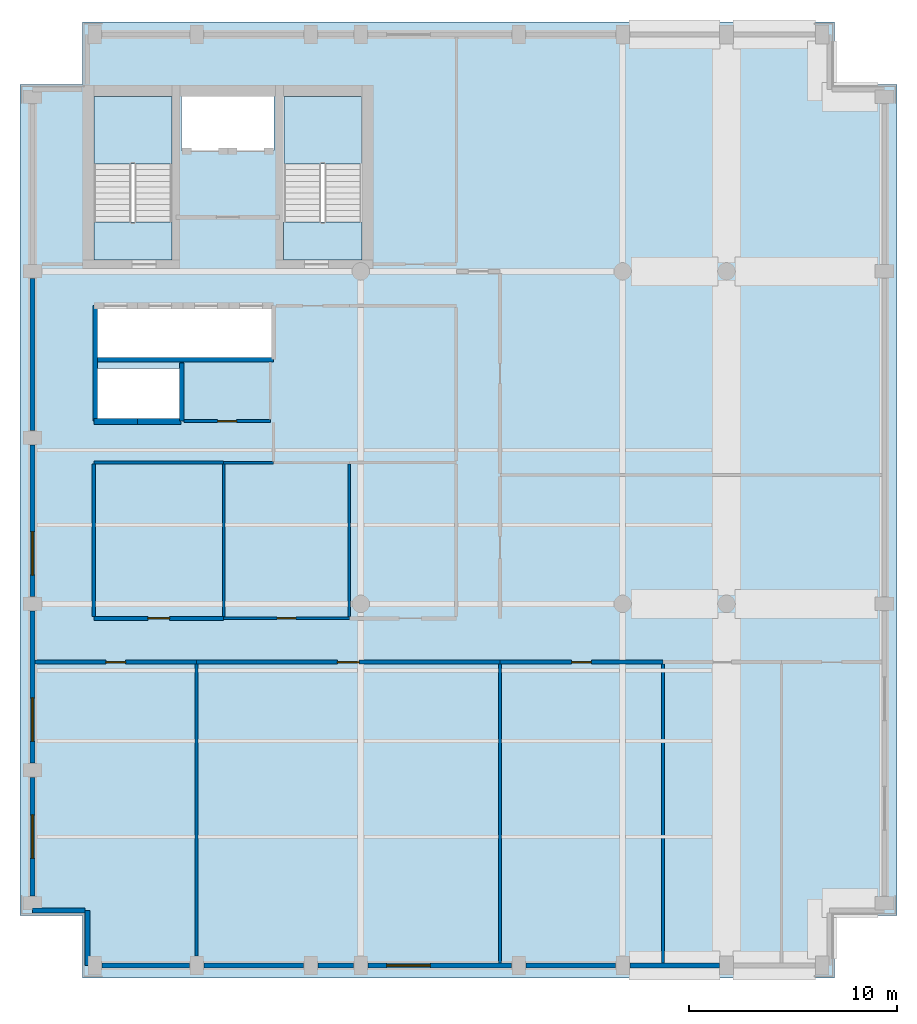
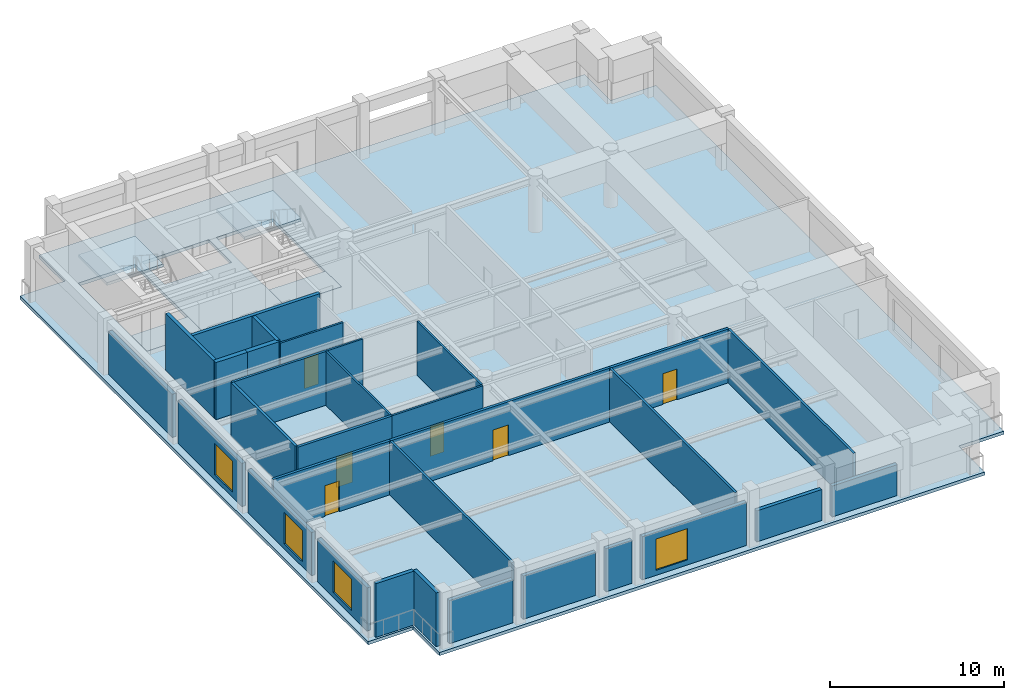
# One storey, part 2 of 7: 31 walls, 6 doors, 5 slabs, 4 windows, 10 openings, 2 elements without a shape of their own.
"""IFC4 building model written with IfcOpenShell, lengths in metres."""

from ifc_helpers import new_model, si_unit, direction, frame, frame_2d, origin, place, context, subcontext, project, spatial, polyline, rectangle, outline, extrude, material, layer, layer_set, type_object, element, fill, aggregate, save


model = new_model("IFC4")

# Units and contexts
model_context = context("Model", 3, precision=1e-05, world=origin(), true_north=direction((0.0, 1.0)))
body_context = subcontext(model_context, "Body", "Model", "MODEL_VIEW")
ifc_project = project(units=[si_unit("LENGTHUNIT", "METRE"), si_unit("AREAUNIT", "SQUARE_METRE"), si_unit("VOLUMEUNIT", "CUBIC_METRE"), si_unit("PLANEANGLEUNIT", "RADIAN"), si_unit("MASSUNIT", "GRAM", prefix="KILO")], contexts=[model_context])

# Site, building, storey
site_placement = place(None, origin())
site = spatial("IfcSite", under=ifc_project, at=site_placement, CompositionType="ELEMENT")
building_placement = place(site_placement, origin())
building = spatial("IfcBuilding", under=site, at=building_placement, Name="Sulina Concourse Tower", CompositionType="ELEMENT")
storey_placement = place(building_placement, frame((0.0, 0.0, 301.0)))
storey = spatial("IfcBuildingStorey", under=building, at=storey_placement, Name="L73", CompositionType="ELEMENT", Elevation=301.0)

# Slabs
ifc_material_1 = material(Name="Concrete C50/60", Category="concrete")
ifc_layer_1 = layer(ifc_material_1, 0.22509765625)
ifc_layer_set_1 = layer_set([ifc_layer_1], Name="Concrete C50/60")
slab_type_1 = type_object("IfcSlabType", Name="Crown & Observation Floor Slab 225mm", PredefinedType="FLOOR", material=ifc_layer_set_1)
slab_1_placement = place(storey_placement, frame((0.0, 0.0, -0.22509765625)))
element("IfcSlab", 1, at=slab_1_placement, inside=storey, type_object=slab_type_1, Name="L73 structural floor slab", PredefinedType="FLOOR", context=body_context, shape_type="SweptSolid", body=[
    extrude(outline(polyline([(3.0, 0.0), (39.199951171875, 0.0), (39.199951171875, 3.0), (42.199951171875, 3.0), (42.199951171875, 43.0), (39.199951171875, 43.0), (39.199951171875, 46.0), (3.0, 46.0), (3.0, 43.0), (0.0, 43.0), (0.0, 3.0), (3.0, 3.0), (3.0, 0.0)]), holes=[polyline([(7.31005859375, 34.550048828125), (7.31005859375, 42.429931640625), (3.550048828125, 42.429931640625), (3.550048828125, 34.550048828125), (7.31005859375, 34.550048828125)]), polyline([(16.449951171875, 34.550048828125), (16.449951171875, 42.429931640625), (12.68994140625, 42.429931640625), (12.68994140625, 34.550048828125), (16.449951171875, 34.550048828125)]), polyline([(7.780029296875, 39.830078125), (12.219970703125, 39.830078125), (12.219970703125, 42.449951171875), (7.780029296875, 42.449951171875), (7.780029296875, 39.830078125)]), polyline([(3.739990234375, 26.780029296875), (7.77001953125, 26.780029296875), (7.77001953125, 29.320068359375), (3.739990234375, 29.320068359375), (3.739990234375, 26.780029296875)]), polyline([(3.739990234375, 29.780029296875), (12.10009765625, 29.780029296875), (12.10009765625, 32.3701171875), (3.739990234375, 32.3701171875), (3.739990234375, 29.780029296875)])]), origin(), (0.0, 0.0, 1.0), 0.22509765625),
])
ifc_material_2 = material(Name="Concrete C50/60", Category="concrete")
ifc_layer_2 = layer(ifc_material_2, 0.199951171875)
ifc_layer_set_2 = layer_set([ifc_layer_2], Name="Concrete C50/60")
slab_type_2 = type_object("IfcSlabType", Name="Primary Core Stair Landing Slab 200mm", PredefinedType="LANDING", material=ifc_layer_set_2)
slab_2_placement = place(storey_placement, frame((0.0, 0.0, -0.199951171875)))
element("IfcSlab", 2, at=slab_2_placement, inside=storey, type_object=slab_type_2, Name="L73 ST-1 floor landing slab", PredefinedType="LANDING", context=body_context, shape_type="SweptSolid", body=[
    extrude(outline(polyline([(7.31005859375, 34.550048828125), (7.31005859375, 36.375), (3.550048828125, 36.375), (3.550048828125, 34.550048828125), (7.31005859375, 34.550048828125)])), origin(), (0.0, 0.0, 1.0), 0.199951171875),
])
slab_3_placement = place(storey_placement, frame((0.0, 0.0, -0.199951171875)))
element("IfcSlab", 3, at=slab_3_placement, inside=storey, type_object=slab_type_2, Name="L73 ST-2 floor landing slab", PredefinedType="LANDING", context=body_context, shape_type="SweptSolid", body=[
    extrude(outline(polyline([(16.449951171875, 34.550048828125), (16.449951171875, 36.375), (12.68994140625, 36.375), (12.68994140625, 34.550048828125), (16.449951171875, 34.550048828125)])), origin(), (0.0, 0.0, 1.0), 0.199951171875),
])

# Stair, slab
ifc_material_3 = material(Name="Concrete C50/60", Category="concrete")
stair_type = type_object("IfcStairType", Name="Primary Core Dog-Leg Exit Stair 1800mm", PredefinedType="HALF_TURN_STAIR", material=ifc_material_3)
stair_1_placement = place(storey_placement, origin())
stair_1 = element("IfcStair", 4, at=stair_1_placement, inside=storey, type_object=stair_type, Name="L73 ST-1", PredefinedType="HALF_TURN_STAIR")
slab_4_placement = place(storey_placement, frame((0.0, 0.0, 1.800048828125)))
slab_4 = element("IfcSlab", 5, at=slab_4_placement, type_object=slab_type_2, Name="ST-1 landing 1", PredefinedType="LANDING", context=body_context, shape_type="SweptSolid", body=[
    extrude(outline(polyline([(7.304931640625, 39.175048828125), (7.304931640625, 42.425048828125), (3.554931640625, 42.425048828125), (3.554931640625, 39.175048828125), (7.304931640625, 39.175048828125)])), origin(), (0.0, 0.0, 1.0), 0.199951171875),
])
aggregate(stair_1, [slab_4])

stair_2_placement = place(storey_placement, origin())
stair_2 = element("IfcStair", 6, at=stair_2_placement, inside=storey, type_object=stair_type, Name="L73 ST-2", PredefinedType="HALF_TURN_STAIR")
slab_5_placement = place(storey_placement, frame((0.0, 0.0, 1.800048828125)))
slab_5 = element("IfcSlab", 7, at=slab_5_placement, type_object=slab_type_2, Name="ST-2 landing 1", PredefinedType="LANDING", context=body_context, shape_type="SweptSolid", body=[
    extrude(outline(polyline([(16.445068359375, 39.175048828125), (16.445068359375, 42.425048828125), (12.695068359375, 42.425048828125), (12.695068359375, 39.175048828125), (16.445068359375, 39.175048828125)])), origin(), (0.0, 0.0, 1.0), 0.199951171875),
])
aggregate(stair_2, [slab_5])

# Walls
ifc_material_4 = material(Name="Concrete C50/60", Category="concrete")
ifc_layer_3 = layer(ifc_material_4, 0.219970703125)
ifc_layer_set_3 = layer_set([ifc_layer_3], Name="Concrete C50/60")
wall_type_1 = type_object("IfcWallType", Name="Core Lift Hoistway Divider Wall 220mm", PredefinedType="SOLIDWALL", material=ifc_layer_set_3)
wall_1_placement = place(storey_placement, frame((3.550048828125, 29.75, 0.0), z_axis=(0.0, 0.0, 1.0), x_axis=(1.0, 0.0, 0.0)))
element("IfcWall", 8, at=wall_1_placement, inside=storey, type_object=wall_type_1, Name="L73 shaft divider wall HW-LP3-S", PredefinedType="SOLIDWALL", context=body_context, shape_type="SweptSolid", body=[
    extrude(rectangle(XDim=8.64990234375, YDim=0.219970703125, at=frame_2d((4.324951171875, 0.0))), origin(), (0.0, 0.0, 1.0), 4.0),
])
wall_2_placement = place(storey_placement, frame((3.6298828125, 26.800048828125, 0.0), z_axis=(0.0, 0.0, 1.0), x_axis=(0.0, 1.0, 0.0)))
element("IfcWall", 9, at=wall_2_placement, inside=storey, type_object=wall_type_1, Name="L73 shaft divider wall HW-LP3-W", PredefinedType="SOLIDWALL", context=body_context, shape_type="SweptSolid", body=[
    extrude(rectangle(XDim=5.550048828125, YDim=0.219970703125, at=frame_2d((2.77490234375, 0.0))), origin(), (0.0, 0.0, 1.0), 4.0),
])
wall_3_placement = place(storey_placement, frame((7.780029296875, 26.800048828125, 0.0), z_axis=(0.0, 0.0, 1.0), x_axis=(0.0, 1.0, 0.0)))
element("IfcWall", 10, at=wall_3_placement, inside=storey, type_object=wall_type_1, Name="L73 shaft divider wall HW-EXP-E", PredefinedType="SOLIDWALL", context=body_context, shape_type="SweptSolid", body=[
    extrude(rectangle(XDim=2.800048828125, YDim=0.219970703125, at=frame_2d((1.39990234375, 0.0))), origin(), (0.0, 0.0, 1.0), 4.0),
])
ifc_material_5 = material(Name="Concrete C50/60", Category="concrete")
ifc_layer_4 = layer(ifc_material_5, 0.300048828125)
ifc_layer_set_4 = layer_set([ifc_layer_4], Name="Concrete C50/60")
wall_type_2 = type_object("IfcWallType", Name="Core Lift Hoistway Wall 300mm", PredefinedType="SOLIDWALL", material=ifc_layer_set_4)
wall_4_placement = place(storey_placement, frame((5.64990234375, 26.780029296875, 0.0), z_axis=(0.0, 0.0, 1.0), x_axis=(-1.0, 0.0, 0.0)))
element("IfcWall", 11, at=wall_4_placement, inside=storey, type_object=wall_type_2, Name="L73 hoistway enclosure wall EXP-1", PredefinedType="SOLIDWALL", context=body_context, shape_type="SweptSolid", body=[
    extrude(rectangle(XDim=2.099853515625, YDim=0.300048828125, at=frame_2d((1.0498046875, 0.0))), origin(), (0.0, 0.0, 1.0), 4.0),
])
wall_5_placement = place(storey_placement, frame((7.75, 26.780029296875, 0.0), z_axis=(0.0, 0.0, 1.0), x_axis=(-1.0, 0.0, 0.0)))
element("IfcWall", 12, at=wall_5_placement, inside=storey, type_object=wall_type_2, Name="L73 hoistway enclosure wall EXP-2", PredefinedType="SOLIDWALL", context=body_context, shape_type="SweptSolid", body=[
    extrude(rectangle(XDim=2.10009765625, YDim=0.300048828125, at=frame_2d((1.050048828125, 0.0))), origin(), (0.0, 0.0, 1.0), 4.0),
])
ifc_material_6 = material(Name="Precast concrete C50/60", Category="concrete")
ifc_layer_5 = layer(ifc_material_6, 0.239990234375)
ifc_layer_set_5 = layer_set([ifc_layer_5], Name="Precast concrete C50/60")
wall_type_3 = type_object("IfcWallType", Name="Crown Precast Masonry-Frame Facade Wall 240mm", PredefinedType="SOLIDWALL", material=ifc_layer_set_5)
wall_6_placement = place(storey_placement, frame((8.155029296875, 0.60009765625, 0.0), z_axis=(0.0, 0.0, 1.0), x_axis=(-1.0, 0.0, 0.0)))
element("IfcWall", 13, at=wall_6_placement, inside=storey, type_object=wall_type_3, Name="L73 exterior precast wall S1", PredefinedType="SOLIDWALL", context=body_context, shape_type="SweptSolid", body=[
    extrude(rectangle(XDim=4.2099609375, YDim=0.239990234375, at=frame_2d((2.10498046875, 0.0))), origin(), (0.0, 0.0, 1.0), 3.02490234375),
])
wall_7_placement = place(storey_placement, frame((13.655029296875, 0.60009765625, 0.0), z_axis=(0.0, 0.0, 1.0), x_axis=(-1.0, 0.0, 0.0)))
element("IfcWall", 14, at=wall_7_placement, inside=storey, type_object=wall_type_3, Name="L73 exterior precast wall S2", PredefinedType="SOLIDWALL", context=body_context, shape_type="SweptSolid", body=[
    extrude(rectangle(XDim=4.81005859375, YDim=0.239990234375, at=frame_2d((2.405029296875, 0.0))), origin(), (0.0, 0.0, 1.0), 3.02490234375),
])
wall_8_placement = place(storey_placement, frame((16.054931640625, 0.60009765625, 0.0), z_axis=(0.0, 0.0, 1.0), x_axis=(-1.0, 0.0, 0.0)))
element("IfcWall", 15, at=wall_8_placement, inside=storey, type_object=wall_type_3, Name="L73 exterior precast wall S3", PredefinedType="SOLIDWALL", context=body_context, shape_type="SweptSolid", body=[
    extrude(rectangle(XDim=1.7099609375, YDim=0.239990234375, at=frame_2d((0.85498046875, 0.0))), origin(), (0.0, 0.0, 1.0), 3.02490234375),
])

# Wall, opening, window
wall_9_placement = place(storey_placement, frame((23.655029296875, 0.60009765625, 0.0), z_axis=(0.0, 0.0, 1.0), x_axis=(-1.0, 0.0, 0.0)))
wall_9 = element("IfcWall", 16, at=wall_9_placement, inside=storey, type_object=wall_type_3, Name="L73 exterior precast wall S4", PredefinedType="SOLIDWALL", context=body_context, shape_type="SweptSolid", body=[
    extrude(rectangle(XDim=6.909912109375, YDim=0.239990234375, at=frame_2d((3.455078125, 0.0))), origin(), (0.0, 0.0, 1.0), 3.02490234375),
])
opening_1_placement = place(wall_9_placement, frame((3.90673828125, 0.0, 0.35009765625)))
opening_1 = element("IfcOpeningElement", 17, at=opening_1_placement, cuts=wall_9, Name="Opening WN-33", PredefinedType="OPENING", context=body_context, shape_type="SweptSolid", body=[
    extrude(rectangle(XDim=2.10009765625, YDim=2.199951171875, at=frame_2d((1.050048828125, 1.10009765625))), frame((0.0, 0.1298828125, 0.0), z_axis=(0.0, -1.0, 0.0), x_axis=(1.0, 0.0, 0.0)), (0.0, 0.0, 1.0), 0.260009765625),
])
ifc_material_7 = material(Name="Low-E solar double glazing in bronze aluminium", Category="aluminium")
window_type = type_object("IfcWindowType", Name="Punched Masonry-Frame Window 2100x2200", PartitioningType="DOUBLE_PANEL_VERTICAL", PredefinedType="WINDOW", material=ifc_material_7)
window_1_placement = place(opening_1_placement, origin())
window_1 = element("IfcWindow", 18, at=window_1_placement, inside=storey, type_object=window_type, Name="L73 punched window S4-1", OverallHeight=2.199951171875, OverallWidth=2.10009765625, PartitioningType="SINGLE_PANEL", PredefinedType="WINDOW", context=body_context, shape_type="SweptSolid", body=[
    extrude(rectangle(XDim=2.10009765625, YDim=2.199951171875, at=frame_2d((1.050048828125, 1.10009765625))), frame((0.0, 0.030029296875, 0.0), z_axis=(0.0, -1.0, 0.0), x_axis=(1.0, 0.0, 0.0)), (0.0, 0.0, 1.0), 0.06005859375),
])
fill(opening_1, window_1)

# Walls
wall_10_placement = place(storey_placement, frame((28.655029296875, 0.60009765625, 0.0), z_axis=(0.0, 0.0, 1.0), x_axis=(-1.0, 0.0, 0.0)))
element("IfcWall", 19, at=wall_10_placement, inside=storey, type_object=wall_type_3, Name="L73 exterior precast wall S5", PredefinedType="SOLIDWALL", context=body_context, shape_type="SweptSolid", body=[
    extrude(rectangle(XDim=4.31005859375, YDim=0.239990234375, at=frame_2d((2.155029296875, 0.0))), origin(), (0.0, 0.0, 1.0), 2.175048828125),
])
wall_11_placement = place(storey_placement, frame((33.655029296875, 0.60009765625, 0.0), z_axis=(0.0, 0.0, 1.0), x_axis=(-1.0, 0.0, 0.0)))
element("IfcWall", 20, at=wall_11_placement, inside=storey, type_object=wall_type_3, Name="L73 exterior precast wall S6", PredefinedType="SOLIDWALL", context=body_context, shape_type="SweptSolid", body=[
    extrude(rectangle(XDim=4.31005859375, YDim=0.239990234375, at=frame_2d((2.155029296875, 0.0))), origin(), (0.0, 0.0, 1.0), 2.1650390625),
])

# Wall, opening, window
wall_12_placement = place(storey_placement, frame((0.60009765625, 3.945068359375, 0.0), z_axis=(0.0, 0.0, 1.0), x_axis=(0.0, 1.0, 0.0)))
wall_12 = element("IfcWall", 21, at=wall_12_placement, inside=storey, type_object=wall_type_3, Name="L73 exterior precast wall W1", PredefinedType="SOLIDWALL", context=body_context, shape_type="SweptSolid", body=[
    extrude(rectangle(XDim=5.7099609375, YDim=0.239990234375, at=frame_2d((2.85498046875, 0.0))), origin(), (0.0, 0.0, 1.0), 3.02490234375),
])
opening_2_placement = place(wall_12_placement, frame((1.804931640625, 0.0, 0.35009765625)))
opening_2 = element("IfcOpeningElement", 22, at=opening_2_placement, cuts=wall_12, Name="Opening WN-33", PredefinedType="OPENING", context=body_context, shape_type="SweptSolid", body=[
    extrude(rectangle(XDim=2.10009765625, YDim=2.199951171875, at=frame_2d((1.050048828125, 1.10009765625))), frame((0.0, 0.1298828125, 0.0), z_axis=(0.0, -1.0, 0.0), x_axis=(1.0, 0.0, 0.0)), (0.0, 0.0, 1.0), 0.260009765625),
])
window_2_placement = place(opening_2_placement, origin())
window_2 = element("IfcWindow", 23, at=window_2_placement, inside=storey, type_object=window_type, Name="L73 punched window W1-1", OverallHeight=2.199951171875, OverallWidth=2.10009765625, PartitioningType="SINGLE_PANEL", PredefinedType="WINDOW", context=body_context, shape_type="SweptSolid", body=[
    extrude(rectangle(XDim=2.10009765625, YDim=2.199951171875, at=frame_2d((1.050048828125, 1.10009765625))), frame((0.0, 0.030029296875, 0.0), z_axis=(0.0, -1.0, 0.0), x_axis=(1.0, 0.0, 0.0)), (0.0, 0.0, 1.0), 0.06005859375),
])
fill(opening_2, window_2)

wall_13_placement = place(storey_placement, frame((0.60009765625, 10.344970703125, 0.0), z_axis=(0.0, 0.0, 1.0), x_axis=(0.0, 1.0, 0.0)))
wall_13 = element("IfcWall", 24, at=wall_13_placement, inside=storey, type_object=wall_type_3, Name="L73 exterior precast wall W2", PredefinedType="SOLIDWALL", context=body_context, shape_type="SweptSolid", body=[
    extrude(rectangle(XDim=7.31005859375, YDim=0.239990234375, at=frame_2d((3.655029296875, 0.0))), origin(), (0.0, 0.0, 1.0), 3.02490234375),
])
opening_3_placement = place(wall_13_placement, frame((1.03662109375, 0.0, 0.35009765625)))
opening_3 = element("IfcOpeningElement", 25, at=opening_3_placement, cuts=wall_13, Name="Opening WN-33", PredefinedType="OPENING", context=body_context, shape_type="SweptSolid", body=[
    extrude(rectangle(XDim=2.10009765625, YDim=2.199951171875, at=frame_2d((1.050048828125, 1.10009765625))), frame((0.0, 0.1298828125, 0.0), z_axis=(0.0, -1.0, 0.0), x_axis=(1.0, 0.0, 0.0)), (0.0, 0.0, 1.0), 0.260009765625),
])
window_3_placement = place(opening_3_placement, origin())
window_3 = element("IfcWindow", 26, at=window_3_placement, inside=storey, type_object=window_type, Name="L73 punched window W2-1", OverallHeight=2.199951171875, OverallWidth=2.10009765625, PartitioningType="SINGLE_PANEL", PredefinedType="WINDOW", context=body_context, shape_type="SweptSolid", body=[
    extrude(rectangle(XDim=2.10009765625, YDim=2.199951171875, at=frame_2d((1.050048828125, 1.10009765625))), frame((0.0, 0.030029296875, 0.0), z_axis=(0.0, -1.0, 0.0), x_axis=(1.0, 0.0, 0.0)), (0.0, 0.0, 1.0), 0.06005859375),
])
fill(opening_3, window_3)

wall_14_placement = place(storey_placement, frame((0.60009765625, 18.344970703125, 0.0), z_axis=(0.0, 0.0, 1.0), x_axis=(0.0, 1.0, 0.0)))
wall_14 = element("IfcWall", 27, at=wall_14_placement, inside=storey, type_object=wall_type_3, Name="L73 exterior precast wall W3", PredefinedType="SOLIDWALL", context=body_context, shape_type="SweptSolid", body=[
    extrude(rectangle(XDim=7.31005859375, YDim=0.239990234375, at=frame_2d((3.655029296875, 0.0))), origin(), (0.0, 0.0, 1.0), 3.02490234375),
])
opening_4_placement = place(wall_14_placement, frame((1.03662109375, 0.0, 0.35009765625)))
opening_4 = element("IfcOpeningElement", 28, at=opening_4_placement, cuts=wall_14, Name="Opening WN-33", PredefinedType="OPENING", context=body_context, shape_type="SweptSolid", body=[
    extrude(rectangle(XDim=2.10009765625, YDim=2.199951171875, at=frame_2d((1.050048828125, 1.10009765625))), frame((0.0, 0.1298828125, 0.0), z_axis=(0.0, -1.0, 0.0), x_axis=(1.0, 0.0, 0.0)), (0.0, 0.0, 1.0), 0.260009765625),
])
window_4_placement = place(opening_4_placement, origin())
window_4 = element("IfcWindow", 29, at=window_4_placement, inside=storey, type_object=window_type, Name="L73 punched window W3-1", OverallHeight=2.199951171875, OverallWidth=2.10009765625, PartitioningType="SINGLE_PANEL", PredefinedType="WINDOW", context=body_context, shape_type="SweptSolid", body=[
    extrude(rectangle(XDim=2.10009765625, YDim=2.199951171875, at=frame_2d((1.050048828125, 1.10009765625))), frame((0.0, 0.030029296875, 0.0), z_axis=(0.0, -1.0, 0.0), x_axis=(1.0, 0.0, 0.0)), (0.0, 0.0, 1.0), 0.06005859375),
])
fill(opening_4, window_4)

# Walls
wall_15_placement = place(storey_placement, frame((0.60009765625, 26.344970703125, 0.0), z_axis=(0.0, 0.0, 1.0), x_axis=(0.0, 1.0, 0.0)))
element("IfcWall", 30, at=wall_15_placement, inside=storey, type_object=wall_type_3, Name="L73 exterior precast wall W4", PredefinedType="SOLIDWALL", context=body_context, shape_type="SweptSolid", body=[
    extrude(rectangle(XDim=7.31005859375, YDim=0.239990234375, at=frame_2d((3.655029296875, 0.0))), origin(), (0.0, 0.0, 1.0), 3.02490234375),
])
wall_16_placement = place(storey_placement, frame((3.2548828125, 0.60009765625, 0.0), z_axis=(0.0, 0.0, 1.0), x_axis=(0.0, 1.0, 0.0)))
element("IfcWall", 31, at=wall_16_placement, inside=storey, type_object=wall_type_3, Name="L73 exterior precast wall CSW1", PredefinedType="SOLIDWALL", context=body_context, shape_type="SweptSolid", body=[
    extrude(rectangle(XDim=2.65478515625, YDim=0.239990234375, at=frame_2d((1.327392578125, 0.0))), origin(), (0.0, 0.0, 1.0), 3.77490234375),
])
wall_17_placement = place(storey_placement, frame((3.1298828125, 3.2548828125, 0.0), z_axis=(0.0, 0.0, 1.0), x_axis=(-1.0, 0.0, 0.0)))
element("IfcWall", 32, at=wall_17_placement, inside=storey, type_object=wall_type_3, Name="L73 exterior precast wall CSW2", PredefinedType="SOLIDWALL", context=body_context, shape_type="SweptSolid", body=[
    extrude(rectangle(XDim=2.52978515625, YDim=0.239990234375, at=frame_2d((1.264892578125, 0.0))), origin(), (0.0, 0.0, 1.0), 3.77490234375),
])
ifc_material_8 = material(Name="Gypsum board on steel stud", Category="steel")
ifc_layer_6 = layer(ifc_material_8, 0.14990234375)
ifc_layer_set_6 = layer_set([ifc_layer_6], Name="Gypsum board on steel stud")
wall_type_4 = type_object("IfcWallType", Name="Inter-Tenancy Acoustic Partition 150mm", PredefinedType="PARTITIONING", material=ifc_layer_set_6)
wall_18_placement = place(storey_placement, frame((3.550048828125, 24.800048828125, 0.0), z_axis=(0.0, 0.0, 1.0), x_axis=(1.0, 0.0, 0.0)))
element("IfcWall", 33, at=wall_18_placement, inside=storey, type_object=wall_type_4, Name="L73 interior partition 010", PredefinedType="PARTITIONING", context=body_context, shape_type="SweptSolid", body=[
    extrude(rectangle(XDim=6.25, YDim=0.14990234375, at=frame_2d((3.125, 0.0))), origin(), (0.0, 0.0, 1.0), 3.77490234375),
])
wall_19_placement = place(storey_placement, frame((8.5, 1.050048828125, 0.0), z_axis=(0.0, 0.0, 1.0), x_axis=(0.0, 1.0, 0.0)))
element("IfcWall", 34, at=wall_19_placement, inside=storey, type_object=wall_type_4, Name="L73 interior partition 021", PredefinedType="PARTITIONING", context=body_context, shape_type="SweptSolid", body=[
    extrude(rectangle(XDim=14.06005859375, YDim=0.14990234375, at=frame_2d((7.030029296875, 0.0))), origin(), (0.0, 0.0, 1.0), 3.77490234375),
])
for number, where, z_axis, x_axis, name in (
    (35, (23.10009765625, 0.719970703125, 0.0), (0.0, 0.0, 1.0), (0.0, 1.0, 0.0), "L73 interior partition 029"),
    (36, (30.949951171875, 0.719970703125, 0.0), (0.0, 0.0, 1.0), (0.0, 1.0, 0.0), "L73 interior partition 032"),
):
    element("IfcWall", number, at=place(storey_placement, frame(where, z_axis=z_axis, x_axis=x_axis)), inside=storey, type_object=wall_type_4, Name=name, PredefinedType="PARTITIONING", context=body_context, shape_type="SweptSolid", body=[
        extrude(rectangle(XDim=14.39013671875, YDim=0.14990234375, at=frame_2d((7.195068359375, 0.0))), origin(), (0.0, 0.0, 1.0), 3.77490234375),
    ])

# Wall, opening, door
ifc_material_9 = material(Name="Gypsum board on steel stud", Category="steel")
ifc_layer_7 = layer(ifc_material_9, 0.179931640625)
ifc_layer_set_7 = layer_set([ifc_layer_7], Name="Gypsum board on steel stud")
wall_type_5 = type_object("IfcWallType", Name="Protected Corridor & Riser Partition 180mm", PredefinedType="PARTITIONING", material=ifc_layer_set_7)
wall_20_placement = place(storey_placement, frame((0.719970703125, 15.199951171875, 0.0), z_axis=(0.0, 0.0, 1.0), x_axis=(1.0, 0.0, 0.0)))
wall_20 = element("IfcWall", 37, at=wall_20_placement, inside=storey, type_object=wall_type_5, Name="L73 interior partition 001", PredefinedType="PARTITIONING", context=body_context, shape_type="SweptSolid", body=[
    extrude(rectangle(XDim=7.780029296875, YDim=0.179931640625, at=frame_2d((3.89013671875, 0.0))), origin(), (0.0, 0.0, 1.0), 3.77490234375),
])
opening_5_placement = place(wall_20_placement, frame((3.4150390625, 0.0, 0.0)))
opening_5 = element("IfcOpeningElement", 38, at=opening_5_placement, cuts=wall_20, Name="Opening DR-19", PredefinedType="OPENING", context=body_context, shape_type="SweptSolid", body=[
    extrude(rectangle(XDim=0.949951171875, YDim=2.14990234375, at=frame_2d((0.47509765625, 1.074951171875))), frame((0.0, 0.099853515625, 0.0), z_axis=(0.0, -1.0, 0.0), x_axis=(1.0, 0.0, 0.0)), (0.0, 0.0, 1.0), 0.199951171875),
])
ifc_material_10 = material(Name="Oak-veneered acoustic timber leaf", Category="wood")
ifc_layer_8 = layer(ifc_material_10, 0.050048828125)
ifc_layer_set_8 = layer_set([ifc_layer_8], Name="Oak-veneered acoustic timber leaf")
door_type_1 = type_object("IfcDoorType", Name="Cellular Office & Meeting Door 950x2150", OperationType="NOTDEFINED", PredefinedType="DOOR", material=ifc_layer_set_8)
door_1_placement = place(opening_5_placement, origin())
door_1 = element("IfcDoor", 39, at=door_1_placement, inside=storey, type_object=door_type_1, Name="L73 interior door L73-S01", OperationType="SINGLE_SWING_RIGHT", OverallHeight=2.14990234375, OverallWidth=0.949951171875, PredefinedType="DOOR", context=body_context, shape_type="SweptSolid", body=[
    extrude(rectangle(XDim=0.949951171875, YDim=2.14990234375, at=frame_2d((0.47509765625, 1.074951171875))), frame((0.0, 0.02490234375, 0.0), z_axis=(0.0, -1.0, 0.0), x_axis=(1.0, 0.0, 0.0)), (0.0, 0.0, 1.0), 0.050048828125),
])
fill(opening_5, door_1)

wall_21_placement = place(storey_placement, frame((8.5, 15.199951171875, 0.0), z_axis=(0.0, 0.0, 1.0), x_axis=(1.0, 0.0, 0.0)))
wall_21 = element("IfcWall", 40, at=wall_21_placement, inside=storey, type_object=wall_type_5, Name="L73 interior partition 002", PredefinedType="PARTITIONING", context=body_context, shape_type="SweptSolid", body=[
    extrude(rectangle(XDim=14.60009765625, YDim=0.179931640625, at=frame_2d((7.300048828125, 0.0))), origin(), (0.0, 0.0, 1.0), 3.77490234375),
])
opening_6_placement = place(wall_21_placement, frame((6.77490234375, 0.0, 0.0)))
opening_6 = element("IfcOpeningElement", 41, at=opening_6_placement, cuts=wall_21, Name="Opening DR-37", PredefinedType="OPENING", context=body_context, shape_type="SweptSolid", body=[
    extrude(rectangle(XDim=1.050048828125, YDim=2.14990234375, at=frame_2d((0.52490234375, 1.074951171875))), frame((0.0, 0.099853515625, 0.0), z_axis=(0.0, -1.0, 0.0), x_axis=(1.0, 0.0, 0.0)), (0.0, 0.0, 1.0), 0.199951171875),
])
ifc_material_11 = material(Name="Oak-veneered fire door leaf")
ifc_layer_9 = layer(ifc_material_11, 0.050048828125)
ifc_layer_set_9 = layer_set([ifc_layer_9], Name="Oak-veneered fire door leaf")
door_type_2 = type_object("IfcDoorType", Name="Tenant Suite Entrance Fire Door 1050x2150", OperationType="NOTDEFINED", PredefinedType="DOOR", material=ifc_layer_set_9)
door_2_placement = place(opening_6_placement, origin())
door_2 = element("IfcDoor", 42, at=door_2_placement, inside=storey, type_object=door_type_2, Name="L73 interior door L73-S02", OperationType="SINGLE_SWING_LEFT", OverallHeight=2.14990234375, OverallWidth=1.050048828125, PredefinedType="DOOR", context=body_context, shape_type="SweptSolid", body=[
    extrude(rectangle(XDim=1.050048828125, YDim=2.14990234375, at=frame_2d((0.52490234375, 1.074951171875))), frame((0.0, 0.02490234375, 0.0), z_axis=(0.0, -1.0, 0.0), x_axis=(1.0, 0.0, 0.0)), (0.0, 0.0, 1.0), 0.050048828125),
])
fill(opening_6, door_2)

wall_22_placement = place(storey_placement, frame((23.10009765625, 15.199951171875, 0.0), z_axis=(0.0, 0.0, 1.0), x_axis=(1.0, 0.0, 0.0)))
wall_22 = element("IfcWall", 43, at=wall_22_placement, inside=storey, type_object=wall_type_5, Name="L73 interior partition 003", PredefinedType="PARTITIONING", context=body_context, shape_type="SweptSolid", body=[
    extrude(rectangle(XDim=7.849853515625, YDim=0.179931640625, at=frame_2d((3.9248046875, 0.0))), origin(), (0.0, 0.0, 1.0), 3.77490234375),
])
opening_7_placement = place(wall_22_placement, frame((3.449951171875, 0.0, 0.0)))
opening_7 = element("IfcOpeningElement", 44, at=opening_7_placement, cuts=wall_22, Name="Opening DR-19", PredefinedType="OPENING", context=body_context, shape_type="SweptSolid", body=[
    extrude(rectangle(XDim=0.949951171875, YDim=2.14990234375, at=frame_2d((0.47509765625, 1.074951171875))), frame((0.0, 0.099853515625, 0.0), z_axis=(0.0, -1.0, 0.0), x_axis=(1.0, 0.0, 0.0)), (0.0, 0.0, 1.0), 0.199951171875),
])
door_3_placement = place(opening_7_placement, origin())
door_3 = element("IfcDoor", 45, at=door_3_placement, inside=storey, type_object=door_type_1, Name="L73 interior door L73-S03A", OperationType="SINGLE_SWING_RIGHT", OverallHeight=2.14990234375, OverallWidth=0.949951171875, PredefinedType="DOOR", context=body_context, shape_type="SweptSolid", body=[
    extrude(rectangle(XDim=0.949951171875, YDim=2.14990234375, at=frame_2d((0.47509765625, 1.074951171875))), frame((0.0, 0.02490234375, 0.0), z_axis=(0.0, -1.0, 0.0), x_axis=(1.0, 0.0, 0.0)), (0.0, 0.0, 1.0), 0.050048828125),
])
fill(opening_7, door_3)

wall_23_placement = place(storey_placement, frame((3.550048828125, 17.300048828125, 0.0), z_axis=(0.0, 0.0, 1.0), x_axis=(1.0, 0.0, 0.0)))
wall_23 = element("IfcWall", 46, at=wall_23_placement, inside=storey, type_object=wall_type_5, Name="L73 interior partition 006", PredefinedType="PARTITIONING", context=body_context, shape_type="SweptSolid", body=[
    extrude(rectangle(XDim=6.25, YDim=0.179931640625, at=frame_2d((3.125, 0.0))), origin(), (0.0, 0.0, 1.0), 3.77490234375),
])
opening_8_placement = place(wall_23_placement, frame((2.60009765625, 0.0, 0.0)))
opening_8 = element("IfcOpeningElement", 47, at=opening_8_placement, cuts=wall_23, Name="Opening DR-37", PredefinedType="OPENING", context=body_context, shape_type="SweptSolid", body=[
    extrude(rectangle(XDim=1.050048828125, YDim=2.14990234375, at=frame_2d((0.52490234375, 1.074951171875))), frame((0.0, 0.099853515625, 0.0), z_axis=(0.0, -1.0, 0.0), x_axis=(1.0, 0.0, 0.0)), (0.0, 0.0, 1.0), 0.199951171875),
])
door_4_placement = place(opening_8_placement, origin())
door_4 = element("IfcDoor", 48, at=door_4_placement, inside=storey, type_object=door_type_2, Name="L73 interior door L73-LR-MRG1", OperationType="SINGLE_SWING_LEFT", OverallHeight=2.14990234375, OverallWidth=1.050048828125, PredefinedType="DOOR", context=body_context, shape_type="SweptSolid", body=[
    extrude(rectangle(XDim=1.050048828125, YDim=2.14990234375, at=frame_2d((0.52490234375, 1.074951171875))), frame((0.0, 0.02490234375, 0.0), z_axis=(0.0, -1.0, 0.0), x_axis=(1.0, 0.0, 0.0)), (0.0, 0.0, 1.0), 0.050048828125),
])
fill(opening_8, door_4)

# Wall
wall_24_placement = place(storey_placement, frame((3.550048828125, 17.389892578125, 0.0), z_axis=(0.0, 0.0, 1.0), x_axis=(0.0, 1.0, 0.0)))
element("IfcWall", 49, at=wall_24_placement, inside=storey, type_object=wall_type_5, Name="L73 interior partition 020", PredefinedType="PARTITIONING", context=body_context, shape_type="SweptSolid", body=[
    extrude(rectangle(XDim=7.335205078125, YDim=0.179931640625, at=frame_2d((3.66748046875, 0.0))), origin(), (0.0, 0.0, 1.0), 3.77490234375),
])

# Wall, opening, door
ifc_material_12 = material(Name="Gypsum board on steel stud", Category="steel")
ifc_layer_10 = layer(ifc_material_12, 0.125)
ifc_layer_set_10 = layer_set([ifc_layer_10], Name="Gypsum board on steel stud")
wall_type_6 = type_object("IfcWallType", Name="Wet-Area Moisture-Resistant Partition 125mm", PredefinedType="PARTITIONING", material=ifc_layer_set_10)
wall_25_placement = place(storey_placement, frame((9.800048828125, 17.300048828125, 0.0), z_axis=(0.0, 0.0, 1.0), x_axis=(1.0, 0.0, 0.0)))
wall_25 = element("IfcWall", 50, at=wall_25_placement, inside=storey, type_object=wall_type_6, Name="L73 interior partition 007", PredefinedType="PARTITIONING", context=body_context, shape_type="SweptSolid", body=[
    extrude(rectangle(XDim=6.050048828125, YDim=0.125, at=frame_2d((3.02490234375, 0.0))), origin(), (0.0, 0.0, 1.0), 3.77490234375),
])
opening_9_placement = place(wall_25_placement, frame((2.574951171875, 0.0, 0.0)))
opening_9 = element("IfcOpeningElement", 51, at=opening_9_placement, cuts=wall_25, Name="Opening DR-21", PredefinedType="OPENING", context=body_context, shape_type="SweptSolid", body=[
    extrude(rectangle(XDim=0.89990234375, YDim=2.10009765625, at=frame_2d((0.449951171875, 1.050048828125))), frame((0.0, 0.072509765625, 0.0), z_axis=(0.0, -1.0, 0.0), x_axis=(1.0, 0.0, 0.0)), (0.0, 0.0, 1.0), 0.14501953125),
])
ifc_material_13 = material(Name="Oak-veneered fire door leaf")
ifc_layer_11 = layer(ifc_material_13, 0.050048828125)
ifc_layer_set_11 = layer_set([ifc_layer_11], Name="Oak-veneered fire door leaf")
door_type_3 = type_object("IfcDoorType", Name="Restroom & Service Door 900x2100", OperationType="NOTDEFINED", PredefinedType="DOOR", material=ifc_layer_set_11)
door_5_placement = place(opening_9_placement, origin())
door_5 = element("IfcDoor", 52, at=door_5_placement, inside=storey, type_object=door_type_3, Name="L73 interior door L73-LR-MRG2", OperationType="SINGLE_SWING_RIGHT", OverallHeight=2.10009765625, OverallWidth=0.89990234375, PredefinedType="DOOR", context=body_context, shape_type="SweptSolid", body=[
    extrude(rectangle(XDim=0.89990234375, YDim=2.10009765625, at=frame_2d((0.449951171875, 1.050048828125))), frame((0.0, 0.02490234375, 0.0), z_axis=(0.0, -1.0, 0.0), x_axis=(1.0, 0.0, 0.0)), (0.0, 0.0, 1.0), 0.050048828125),
])
fill(opening_9, door_5)

# Wall
wall_26_placement = place(storey_placement, frame((9.800048828125, 24.800048828125, 0.0), z_axis=(0.0, 0.0, 1.0), x_axis=(1.0, 0.0, 0.0)))
element("IfcWall", 53, at=wall_26_placement, inside=storey, type_object=wall_type_6, Name="L73 interior partition 011", PredefinedType="PARTITIONING", context=body_context, shape_type="SweptSolid", body=[
    extrude(rectangle(XDim=2.39990234375, YDim=0.125, at=frame_2d((1.199951171875, 0.0))), origin(), (0.0, 0.0, 1.0), 3.77490234375),
])

# Wall, opening, door
wall_27_placement = place(storey_placement, frame((7.889892578125, 26.800048828125, 0.0), z_axis=(0.0, 0.0, 1.0), x_axis=(1.0, 0.0, 0.0)))
wall_27 = element("IfcWall", 54, at=wall_27_placement, inside=storey, type_object=wall_type_6, Name="L73 interior partition 014", PredefinedType="PARTITIONING", context=body_context, shape_type="SweptSolid", body=[
    extrude(rectangle(XDim=4.16015625, YDim=0.125, at=frame_2d((2.080078125, 0.0))), origin(), (0.0, 0.0, 1.0), 3.77490234375),
])
opening_10_placement = place(wall_27_placement, frame((1.6201171875, 0.0, 0.0)))
opening_10 = element("IfcOpeningElement", 55, at=opening_10_placement, cuts=wall_27, Name="Opening DR-61", PredefinedType="OPENING", context=body_context, shape_type="SweptSolid", body=[
    extrude(rectangle(XDim=0.919921875, YDim=2.10009765625, at=frame_2d((0.4599609375, 1.050048828125))), frame((0.0, 0.072509765625, 0.0), z_axis=(0.0, -1.0, 0.0), x_axis=(1.0, 0.0, 0.0)), (0.0, 0.0, 1.0), 0.14501953125),
])
ifc_material_14 = material(Name="Oak-veneered fire door leaf")
ifc_layer_12 = layer(ifc_material_14, 0.050048828125)
ifc_layer_set_12 = layer_set([ifc_layer_12], Name="Oak-veneered fire door leaf")
door_type_4 = type_object("IfcDoorType", Name="Accessible WC Door 920x2100", OperationType="NOTDEFINED", PredefinedType="DOOR", material=ifc_layer_set_12)
door_6_placement = place(opening_10_placement, origin())
door_6 = element("IfcDoor", 56, at=door_6_placement, inside=storey, type_object=door_type_4, Name="L73 interior door L73-WC-ACC", OperationType="SINGLE_SWING_RIGHT", OverallHeight=2.10009765625, OverallWidth=0.919921875, PredefinedType="DOOR", context=body_context, shape_type="SweptSolid", body=[
    extrude(rectangle(XDim=0.919921875, YDim=2.10009765625, at=frame_2d((0.4599609375, 1.050048828125))), frame((0.0, 0.02490234375, 0.0), z_axis=(0.0, -1.0, 0.0), x_axis=(1.0, 0.0, 0.0)), (0.0, 0.0, 1.0), 0.050048828125),
])
fill(opening_10, door_6)

# Walls
for number, where, z_axis, x_axis, name in (
    (57, (9.800048828125, 17.389892578125, 0.0), (0.0, 0.0, 1.0), (0.0, 1.0, 0.0), "L73 interior partition 022"),
    (58, (15.85009765625, 17.389892578125, 0.0), (0.0, 0.0, 1.0), (0.0, 1.0, 0.0), "L73 interior partition 025"),
):
    element("IfcWall", number, at=place(storey_placement, frame(where, z_axis=z_axis, x_axis=x_axis)), inside=storey, type_object=wall_type_6, Name=name, PredefinedType="PARTITIONING", context=body_context, shape_type="SweptSolid", body=[
        extrude(rectangle(XDim=7.335205078125, YDim=0.125, at=frame_2d((3.66748046875, 0.0))), origin(), (0.0, 0.0, 1.0), 3.77490234375),
    ])

save(model, "model.ifc")
